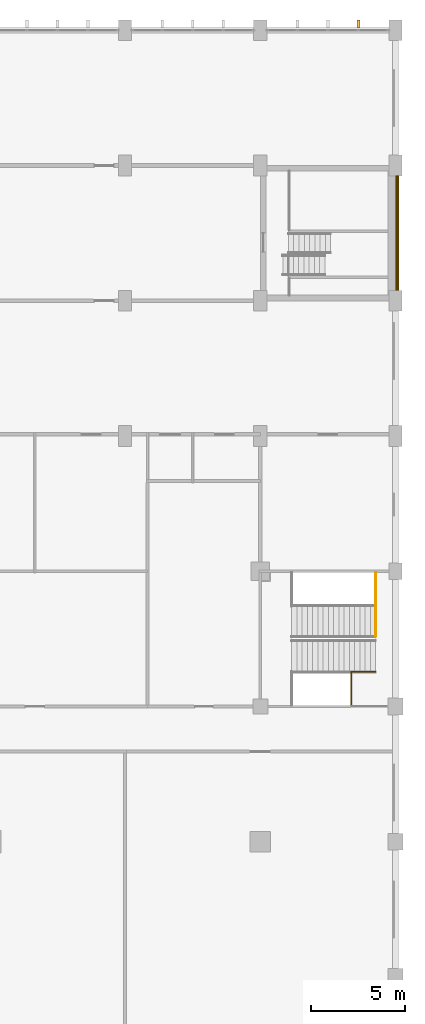
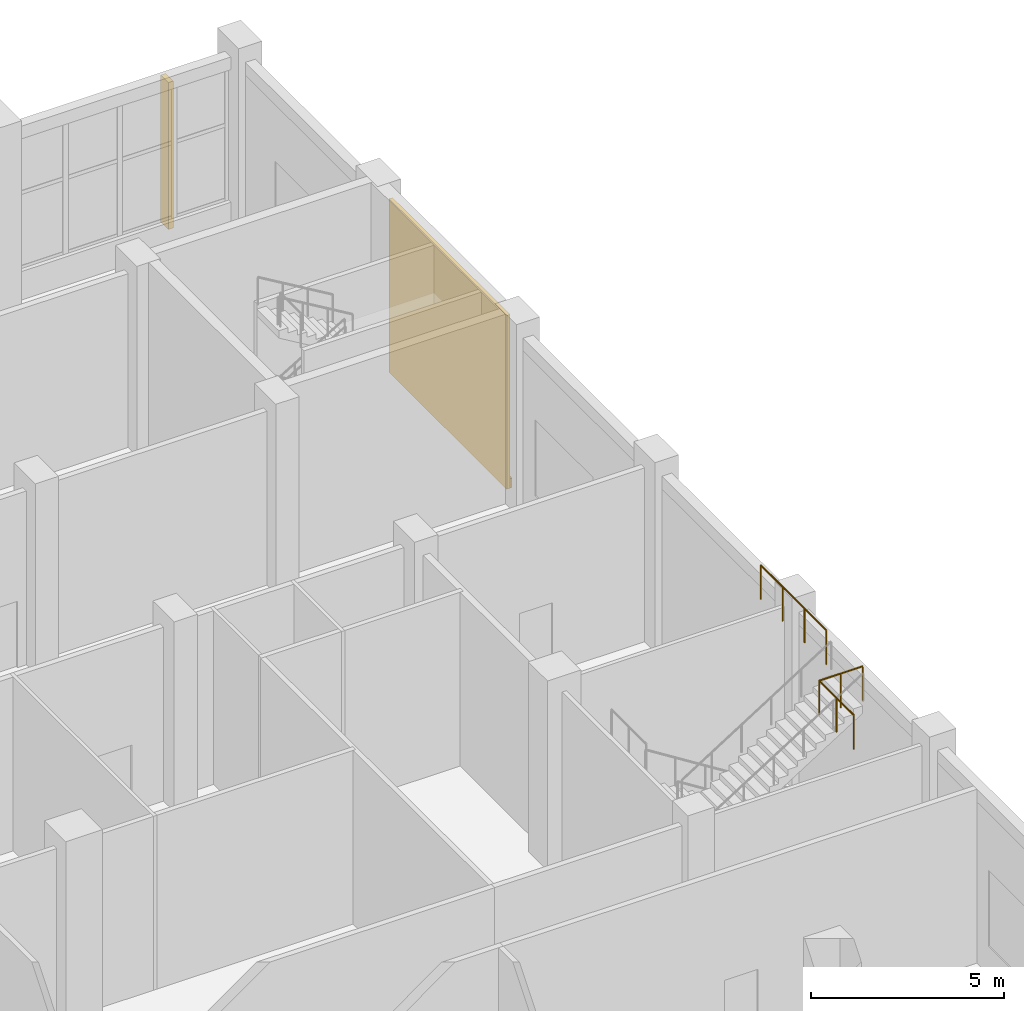
# One storey, part 44 of 44: 3 coverings, 2 railings.
"""IFC4 building model written with IfcOpenShell, lengths in metres."""

from ifc_helpers import new_model, si_unit, direction, frame, frame_2d, origin, origin_2d, place, context, subcontext, project, spatial, polyline, rectangle, circle, outline, extrude, material, layer, layer_set, type_object, element, save


model = new_model("IFC4")

# Units and contexts
model_context = context("Model", 3, precision=1e-05, world=origin(), true_north=direction((0.0, 1.0)))
body_context = subcontext(model_context, "Body", "Model", "MODEL_VIEW")
ifc_project = project(units=[si_unit("LENGTHUNIT", "METRE"), si_unit("AREAUNIT", "SQUARE_METRE"), si_unit("VOLUMEUNIT", "CUBIC_METRE"), si_unit("PLANEANGLEUNIT", "RADIAN"), si_unit("MASSUNIT", "GRAM", prefix="KILO")], contexts=[model_context])

# Site, building, storey
site_placement = place(None, origin())
site = spatial("IfcSite", under=ifc_project, at=site_placement, CompositionType="ELEMENT")
building_placement = place(site_placement, origin())
building = spatial("IfcBuilding", under=site, at=building_placement, Name="Vermilion Court Aquatics Centre", CompositionType="ELEMENT")
storey_placement = place(building_placement, frame((0.0, 0.0, 6.0)))
storey = spatial("IfcBuildingStorey", under=building, at=storey_placement, Name="L01", CompositionType="ELEMENT", Elevation=6.0)

# Coverings
ifc_material_1 = material(Name="Brick masonry", Category="masonry")
ifc_layer_1 = layer(ifc_material_1, 0.06005859375)
ifc_layer_set_1 = layer_set([ifc_layer_1], Name="North block band course 60")
covering_type_1 = type_object("IfcCoveringType", Name="North block band course 60", PredefinedType="CLADDING", material=ifc_layer_set_1)
covering_1_placement = place(storey_placement, origin())
element("IfcCovering", 1, at=covering_1_placement, inside=storey, type_object=covering_type_1, Name="North block band course east end L01", PredefinedType="CLADDING", context=body_context, shape_type="SweptSolid", body=[
    extrude(outline(polyline([(194.501953125, 101.35009765625), (194.56201171875, 101.35009765625), (194.56201171875, 107.449951171875), (194.501953125, 107.449951171875), (194.501953125, 101.35009765625)])), origin(), (0.0, 0.0, 1.0), 0.300048828125),
])
ifc_material_2 = material(Name="Brick masonry", Category="masonry")
ifc_layer_2 = layer(ifc_material_2, 0.10205078125)
ifc_layer_set_2 = layer_set([ifc_layer_2], Name="North block brick facing 102")
covering_type_2 = type_object("IfcCoveringType", Name="North block brick facing 102", PredefinedType="CLADDING", material=ifc_layer_set_2)
covering_2_placement = place(storey_placement, origin())
element("IfcCovering", 2, at=covering_2_placement, inside=storey, type_object=covering_type_2, Name="North block brick facing east end 10", PredefinedType="CLADDING", context=body_context, shape_type="SweptSolid", body=[
    extrude(outline(polyline([(194.39990234375, 101.35009765625), (194.501953125, 101.35009765625), (194.501953125, 107.449951171875), (194.39990234375, 107.449951171875), (194.39990234375, 101.35009765625)])), origin(), (0.0, 0.0, 1.0), 5.5),
])

# Railings
ifc_material_3 = material(Name="Steel ASTM A992 Grade 50", Category="steel")
railing_type = type_object("IfcRailingType", Name="Podium stair guard 1100", PredefinedType="GUARDRAIL", material=ifc_material_3)
railing_1_placement = place(storey_placement, frame((193.33740234375, 86.33740234375, 6.0)))
element("IfcRailing", 3, at=railing_1_placement, inside=storey, type_object=railing_type, Name="Stair guard P4", PredefinedType="GUARDRAIL", context=body_context, shape_type="SweptSolid", body=[
    extrude(circle(Radius=0.02392578125, at=origin_2d()), frame((0.0, 0.0, 1.076171875), z_axis=(0.0, -1.0, 0.0), x_axis=(1.0, 0.0, 0.0)), (0.0, 0.0, 1.0), 3.3974609375),
    extrude(circle(Radius=0.02099609375, at=origin_2d()), origin(), (0.0, 0.0, 1.0), 1.052001953125),
    extrude(circle(Radius=0.02099609375, at=origin_2d()), frame((0.0, -1.132568359375, 0.0)), (0.0, 0.0, 1.0), 1.052001953125),
    extrude(circle(Radius=0.02099609375, at=origin_2d()), frame((0.0, -2.264892578125, 0.0)), (0.0, 0.0, 1.0), 1.052001953125),
    extrude(circle(Radius=0.02099609375, at=origin_2d()), frame((0.0, -3.3974609375, 0.0)), (0.0, 0.0, 1.0), 1.052001953125),
])
railing_2_placement = place(storey_placement, frame((192.03759765625, 79.262451171875, 6.0)))
element("IfcRailing", 4, at=railing_2_placement, inside=storey, type_object=railing_type, Name="Stair guard P4", PredefinedType="GUARDRAIL", context=body_context, shape_type="SweptSolid", body=[
    extrude(circle(Radius=0.02392578125, at=origin_2d()), frame((0.0, 0.0, 1.076171875), z_axis=(0.0, 1.0, 0.0), x_axis=(-1.0, 0.0, 0.0)), (0.0, 0.0, 1.0), 1.797607421875),
    extrude(circle(Radius=0.02392578125, at=origin_2d()), frame((0.0, 1.797607421875, 1.076171875), z_axis=(1.0, 0.0, 0.0), x_axis=(0.0, 1.0, 0.0)), (0.0, 0.0, 1.0), 1.2998046875),
    extrude(circle(Radius=0.02099609375, at=origin_2d()), origin(), (0.0, 0.0, 1.0), 1.052001953125),
    extrude(circle(Radius=0.02099609375, at=origin_2d()), frame((0.0, 0.89892578125, 0.0)), (0.0, 0.0, 1.0), 1.052001953125),
    extrude(circle(Radius=0.02099609375, at=origin_2d()), frame((0.0, 1.797607421875, 0.0)), (0.0, 0.0, 1.0), 1.052001953125),
    extrude(circle(Radius=0.02099609375, at=origin_2d()), frame((0.64990234375, 1.797607421875, 0.0)), (0.0, 0.0, 1.0), 1.052001953125),
    extrude(circle(Radius=0.02099609375, at=origin_2d()), frame((1.2998046875, 1.797607421875, 0.0)), (0.0, 0.0, 1.0), 1.052001953125),
])

# Covering
ifc_material_4 = material(Name="Terracotta cladding", Category="masonry")
ifc_layer_3 = layer(ifc_material_4, 0.14990234375)
ifc_layer_set_3 = layer_set([ifc_layer_3], Name="Podium terracotta sunscreen fin 150")
covering_type_3 = type_object("IfcCoveringType", Name="Podium terracotta sunscreen fin 150", PredefinedType="CLADDING", material=ifc_layer_set_3)
covering_3_placement = place(storey_placement, frame((192.425048828125, 115.35009765625, 0.449951171875), z_axis=(0.0, 0.0, 1.0), x_axis=(0.0, 1.0, 0.0)))
element("IfcCovering", 5, at=covering_3_placement, inside=storey, type_object=covering_type_3, Name="Sunscreen fin L01", PredefinedType="CLADDING", context=body_context, shape_type="SweptSolid", body=[
    extrude(rectangle(XDim=0.39990234375, YDim=0.14990234375, at=frame_2d((0.199951171875, 0.0))), origin(), (0.0, 0.0, 1.0), 4.650146484375),
])

save(model, "model.ifc")
